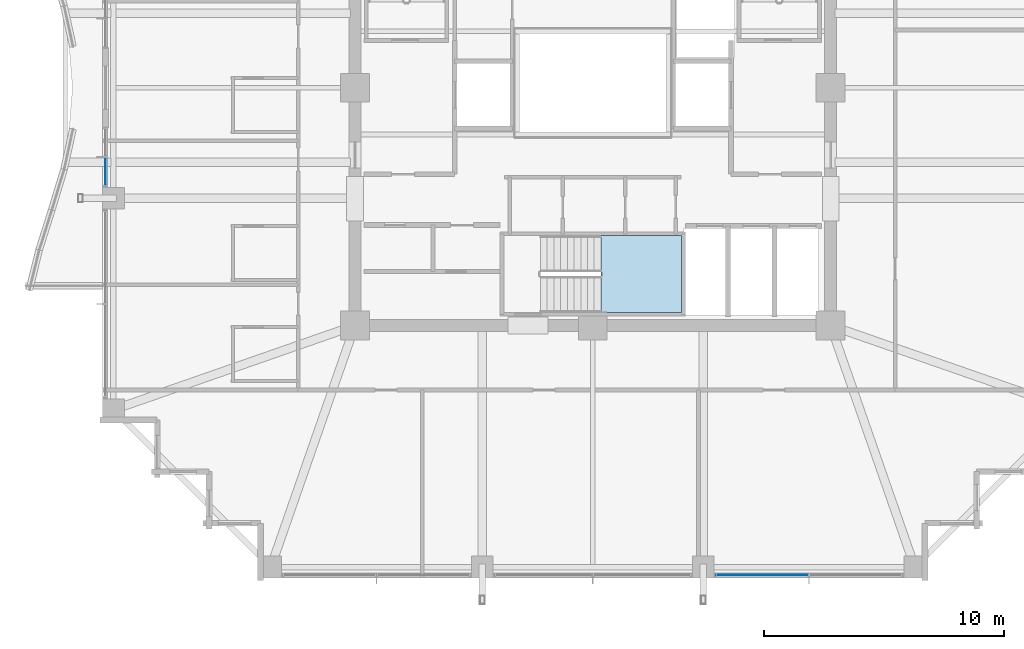
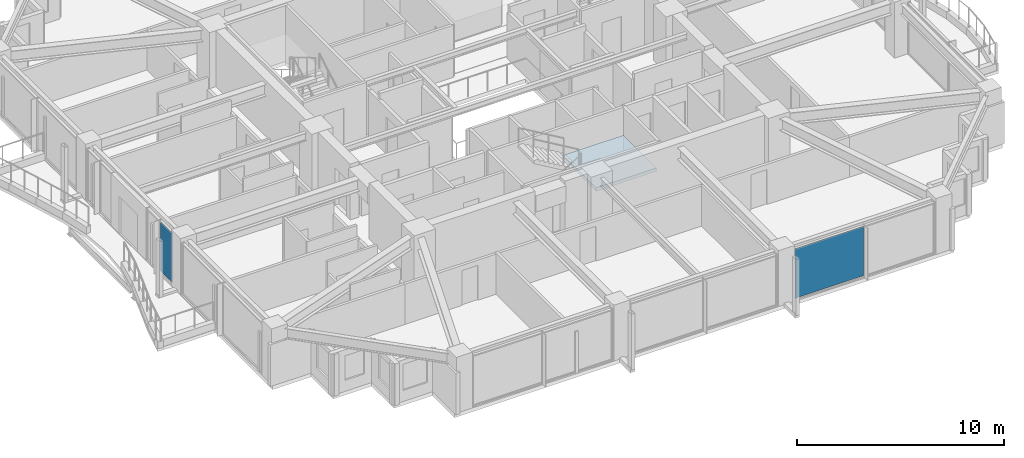
# One storey, part 23 of 35: 2 plates, 1 slab, 3 elements without a shape of their own.
"""IFC4 building model written with IfcOpenShell, lengths in metres."""

from ifc_helpers import new_model, si_unit, direction, frame, origin, origin_2d, place, context, subcontext, project, spatial, polyline, rectangle, outline, extrude, material, layer, layer_set, type_object, element, aggregate, save


model = new_model("IFC4")

# Units and contexts
model_context = context("Model", 3, precision=1e-05, world=origin(), true_north=direction((0.0, 1.0)))
body_context = subcontext(model_context, "Body", "Model", "MODEL_VIEW")
ifc_project = project(units=[si_unit("LENGTHUNIT", "METRE"), si_unit("AREAUNIT", "SQUARE_METRE"), si_unit("VOLUMEUNIT", "CUBIC_METRE"), si_unit("PLANEANGLEUNIT", "RADIAN"), si_unit("MASSUNIT", "GRAM", prefix="KILO")], contexts=[model_context])

# Site, building, storey
site_placement = place(None, origin())
site = spatial("IfcSite", under=ifc_project, at=site_placement, CompositionType="ELEMENT")
building_placement = place(site_placement, origin())
building = spatial("IfcBuilding", under=site, at=building_placement, Name="Kolvaren Belvedere", CompositionType="ELEMENT")
storey_placement = place(building_placement, frame((0.0, 0.0, 183.300048828125)))
storey = spatial("IfcBuildingStorey", under=building, at=storey_placement, Name="L53", CompositionType="ELEMENT", Elevation=183.300048828125)

# Curtain wall, plate
ifc_material_1 = material(Name="Anodised pale-metal aluminium AA 6063-T6", Category="aluminium")
curtain_wall_type = type_object("IfcCurtainWallType", Name="CW-Z5-HIGH", PredefinedType="NOTDEFINED", material=ifc_material_1)
curtain_wall_1_placement = place(storey_placement, origin())
curtain_wall_1 = element("IfcCurtainWall", 1, at=curtain_wall_1_placement, inside=storey, type_object=curtain_wall_type, Name="L53 Unitised Curtain Wall FCW-L53-S-B1", PredefinedType="NOTDEFINED")
ifc_material_2 = material(Name="Low-iron triple insulated glass", Category="glass")
ifc_layer_1 = layer(ifc_material_2, 0.028076171875)
ifc_layer_set_1 = layer_set([ifc_layer_1], Name="Low-iron triple insulated glass")
plate_type = type_object("IfcPlateType", Name="CW-PNL-VIS28", PredefinedType="CURTAIN_PANEL", material=ifc_layer_set_1)
plate_1_placement = place(storey_placement, frame((7.052490234375, -20.280029296875, 0.080078125), z_axis=(0.0, 0.0, 1.0), x_axis=(-1.0, 0.0, 0.0)))
plate_1 = element("IfcPlate", 2, at=plate_1_placement, type_object=plate_type, Name="FCW-L53-S-B1 Vision Glazing Panel 2", PredefinedType="CURTAIN_PANEL", context=body_context, shape_type="SweptSolid", body=[
    extrude(rectangle(XDim=3.81494140625, YDim=0.028076171875, at=origin_2d()), origin(), (0.0, 0.0, 1.0), 2.919921875),
])
aggregate(curtain_wall_1, [plate_1])

curtain_wall_2_placement = place(storey_placement, origin())
curtain_wall_2 = element("IfcCurtainWall", 3, at=curtain_wall_2_placement, inside=storey, type_object=curtain_wall_type, Name="L53 Unitised Curtain Wall FCW-L53-W1-B2", PredefinedType="NOTDEFINED")
plate_2_placement = place(storey_placement, frame((-20.280029296875, -3.4912109375, 0.080078125), z_axis=(0.0, 0.0, 1.0), x_axis=(0.0, 1.0, 0.0)))
plate_2 = element("IfcPlate", 4, at=plate_2_placement, type_object=plate_type, Name="FCW-L53-W1-B2 Vision Glazing Panel 1", PredefinedType="CURTAIN_PANEL", context=body_context, shape_type="SweptSolid", body=[
    extrude(rectangle(XDim=1.12744140625, YDim=0.028076171875, at=origin_2d()), origin(), (0.0, 0.0, 1.0), 2.919921875),
])
aggregate(curtain_wall_2, [plate_2])

# Stair, slab
ifc_material_3 = material(Name="Concrete C50/60", Category="concrete")
stair_type = type_object("IfcStairType", Name="ST-CORE-1520", PredefinedType="HALF_TURN_STAIR", material=ifc_material_3)
stair_placement = place(storey_placement, origin())
stair = element("IfcStair", 5, at=stair_placement, inside=storey, type_object=stair_type, Name="L53 Protected Exit Stair ST-3", PredefinedType="HALF_TURN_STAIR")
ifc_material_4 = material(Name="Concrete C50/60", Category="concrete")
ifc_layer_2 = layer(ifc_material_4, 0.260009765625)
ifc_layer_set_2 = layer_set([ifc_layer_2], Name="Concrete C50/60")
slab_type = type_object("IfcSlabType", Name="SL-LAND-260", PredefinedType="LANDING", material=ifc_layer_set_2)
slab_placement = place(storey_placement, frame((0.0, 0.0, 1.449951171875)))
slab = element("IfcSlab", 6, at=slab_placement, type_object=slab_type, Name="ST-3 landing 1", PredefinedType="LANDING", context=body_context, shape_type="SweptSolid", body=[
    extrude(outline(polyline([(0.340087890625, -9.35009765625), (3.699951171875, -9.35009765625), (3.699951171875, -6.159912109375), (0.340087890625, -6.159912109375), (0.340087890625, -9.35009765625)])), origin(), (0.0, 0.0, 1.0), 0.199951171875),
])
aggregate(stair, [slab])

save(model, "model.ifc")
